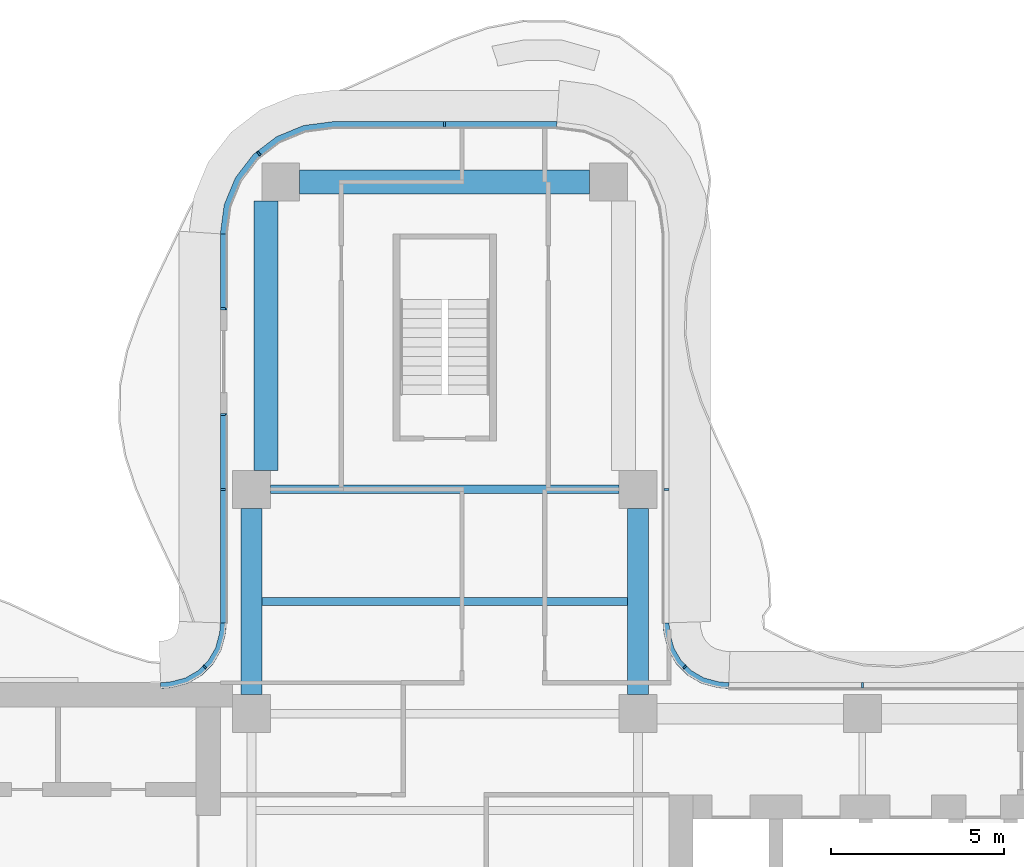
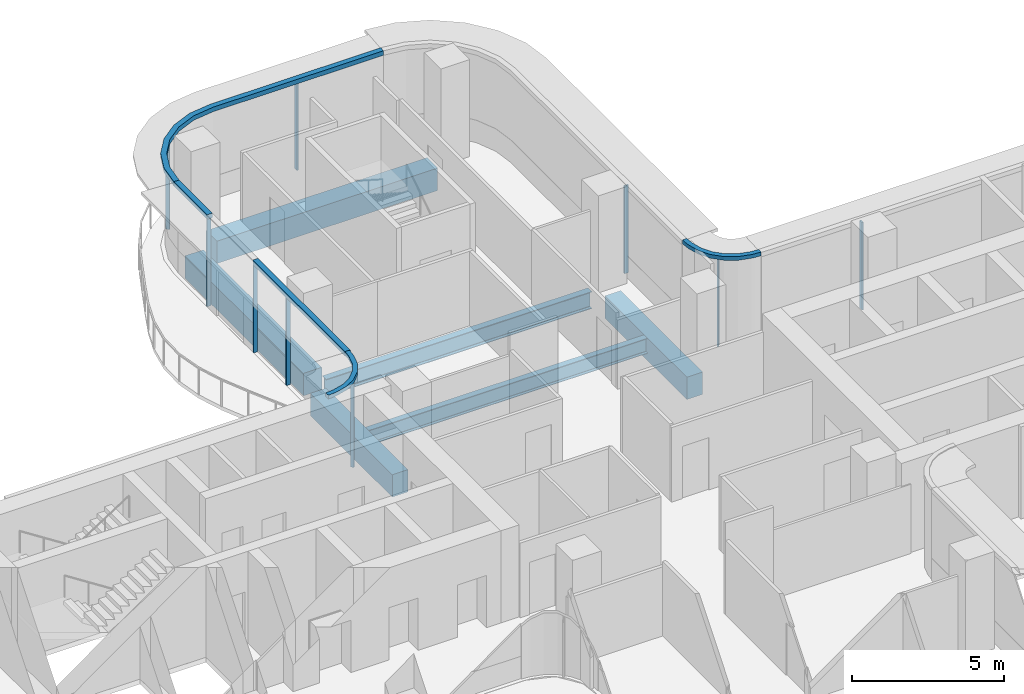
# One storey, part 7 of 17: 14 members, 6 beams, 7 elements without a shape of their own.
"""IFC4 building model written with IfcOpenShell, lengths in metres."""

from ifc_helpers import new_model, si_unit, direction, frame, origin, origin_2d, place, context, subcontext, project, spatial, polyline, rectangle, i_section, outline, extrude, source, transform, mapped, material, layer, layer_set, material_profile, profile_set, type_object, element, aggregate, save


model = new_model("IFC4")

# Units and contexts
model_context = context("Model", 3, precision=1e-05, world=origin(), true_north=direction((0.0, 1.0)))
body_context = subcontext(model_context, "Body", "Model", "MODEL_VIEW")
ifc_project = project(units=[si_unit("LENGTHUNIT", "METRE"), si_unit("AREAUNIT", "SQUARE_METRE"), si_unit("VOLUMEUNIT", "CUBIC_METRE"), si_unit("PLANEANGLEUNIT", "RADIAN"), si_unit("MASSUNIT", "GRAM", prefix="KILO")], contexts=[model_context])

# Site, building, storey
site_placement = place(None, origin())
site = spatial("IfcSite", under=ifc_project, at=site_placement, CompositionType="ELEMENT")
building_placement = place(site_placement, origin())
building = spatial("IfcBuilding", under=site, at=building_placement, Name="Trellis Farm Tower", CompositionType="ELEMENT")
storey_placement = place(building_placement, frame((0.0, 0.0, 232.39990234375)))
storey = spatial("IfcBuildingStorey", under=building, at=storey_placement, Name="L51", CompositionType="ELEMENT", Elevation=232.39990234375)

# Curtain wall, member
ifc_material_1 = material(Name="Aluminium and glass curtain wall", Category="aluminium")
ifc_layer_1 = layer(ifc_material_1, 0.18994140625)
ifc_layer_set_1 = layer_set([ifc_layer_1], Name="RIBBON CURTAIN WALL CW1")
curtain_wall_type_1 = type_object("IfcCurtainWallType", Name="RIBBON CURTAIN WALL CW1", PredefinedType="NOTDEFINED", material=ifc_layer_set_1)
placement_1 = place(storey_placement, origin())
curtain_wall_1 = element("IfcCurtainWall", 1, at=placement_1, inside=storey, type_object=curtain_wall_type_1, Name="CW1 010", PredefinedType="NOTDEFINED")
ifc_material_2 = material(Name="Aluminium extrusion 6063-T6", Category="aluminium")
ifc_layer_2 = layer(ifc_material_2, 0.199951171875)
ifc_layer_set_2 = layer_set([ifc_layer_2], Name="Aluminium extrusion 6063-T6")
member_type_1 = type_object("IfcMemberType", Name="CW1 TRANSOM 200x180", PredefinedType="USERDEFINED", material=ifc_layer_set_2)
placement_2 = place(storey_placement, frame((0.0, 0.0, 3.52001953125)))
member_1 = element("IfcMember", 2, at=placement_2, type_object=member_type_1, Name="TR1 010", ObjectType="TRANSOM", PredefinedType="USERDEFINED", context=body_context, shape_type="SweptSolid", body=[
    extrude(outline(polyline([(-6.5, 19.5), (-6.5, 17.300048828125), (-6.300048828125, 17.300048828125), (-6.300048828125, 19.48681640625), (-6.5, 19.5)])), origin(), (0.0, 0.0, 1.0), 0.18017578125),
])

curtain_wall_2 = element("IfcCurtainWall", 3, at=placement_1, inside=storey, type_object=curtain_wall_type_1, Name="CW1 011", PredefinedType="NOTDEFINED")
member_2 = element("IfcMember", 4, at=placement_2, type_object=member_type_1, Name="TR1 011", ObjectType="TRANSOM", PredefinedType="USERDEFINED", context=body_context, shape_type="SweptSolid", body=[
    extrude(outline(polyline([(-6.5, 14.300048828125), (-6.5, 8.2314453125), (-6.300048828125, 8.224853515625), (-6.300048828125, 14.300048828125), (-6.5, 14.300048828125)])), origin(), (0.0, 0.0, 1.0), 0.18017578125),
])

# Beams
ifc_material_3 = material(Name="Steel S355", Category="steel")
ifc_material_profile_1 = material_profile(ifc_material_3, i_section(OverallWidth=0.22900390625, OverallDepth=0.6123046875, WebThickness=0.011962890625, FlangeThickness=0.01953125, FilletRadius=0.0126953125, at=origin_2d()), Name="UB 610x229x125")
ifc_profile_set_1 = profile_set([ifc_material_profile_1], Name="Steel S355")
beam_type_1 = type_object("IfcBeamType", Name="UB 610x229x125 joist", PredefinedType="JOIST", material=ifc_profile_set_1)
shared_shape_1 = source(origin(), body_context, "Body", "SweptSolid", [
    extrude(i_section(OverallWidth=0.22900390625, OverallDepth=0.6123046875, WebThickness=0.011962890625, FlangeThickness=0.01953125, FilletRadius=0.0126953125, at=origin_2d()), origin(), (0.0, 0.0, 1.0), 10.60009765625),
])
beam_1_placement = place(storey_placement, frame((-5.300048828125, 8.85009765625, -0.506103515625), z_axis=(1.0, 0.0, 0.0), x_axis=(0.0, 1.0, 0.0)))
element("IfcBeam", 5, at=beam_1_placement, inside=storey, type_object=beam_type_1, Name="Floor beam", PredefinedType="JOIST", context=body_context, shape_type="MappedRepresentation", body=[
    mapped(shared_shape_1, transform((0.0, 0.0, 0.0))),
])
ifc_material_profile_2 = material_profile(ifc_material_3, i_section(OverallWidth=0.253662109375, OverallDepth=0.68359375, WebThickness=0.012451171875, FlangeThickness=0.021728515625, FilletRadius=0.01513671875, at=origin_2d()), Name="UB 686x254x140")
ifc_profile_set_2 = profile_set([ifc_material_profile_2], Name="Steel S355")
beam_type_2 = type_object("IfcBeamType", Name="UB 686x254x140", PredefinedType="BEAM", material=ifc_profile_set_2)
shared_shape_2 = source(origin(), body_context, "Body", "SweptSolid", [
    extrude(i_section(OverallWidth=0.253662109375, OverallDepth=0.68359375, WebThickness=0.012451171875, FlangeThickness=0.021728515625, FilletRadius=0.01513671875, at=origin_2d()), origin(), (0.0, 0.0, 1.0), 10.10009765625),
])
beam_2_placement = place(storey_placement, frame((-5.050048828125, 12.10009765625, -0.54150390625), z_axis=(1.0, 0.0, 0.0), x_axis=(0.0, 1.0, 0.0)))
element("IfcBeam", 6, at=beam_2_placement, inside=storey, type_object=beam_type_2, Name="Girder", PredefinedType="BEAM", context=body_context, shape_type="MappedRepresentation", body=[
    mapped(shared_shape_2, transform((0.0, 0.0, 0.0))),
])
ifc_material_4 = material(Name="Concrete C60/75", Category="concrete")
ifc_material_profile_3 = material_profile(ifc_material_4, rectangle(XDim=0.60009765625, YDim=0.89990234375, at=origin_2d()), Name="RC spandrel beam 600x900 C60/75")
ifc_profile_set_3 = profile_set([ifc_material_profile_3], Name="Concrete C60/75")
beam_type_3 = type_object("IfcBeamType", Name="RC spandrel beam 600x900 C60/75", PredefinedType="SPANDREL", material=ifc_profile_set_3)
shared_shape_3 = source(origin(), body_context, "Body", "SweptSolid", [
    extrude(rectangle(XDim=0.60009765625, YDim=0.89990234375, at=origin_2d()), origin(), (0.0, 0.0, 1.0), 5.400146484375),
])
for number, where, z_axis, x_axis, name in (
    (7, (-5.60009765625, 6.14990234375, -0.64990234375), (0.0, 1.0, 0.0), (-1.0, 0.0, 0.0), "Girder"),
    (8, (5.60009765625, 6.14990234375, -0.64990234375), (0.0, 1.0, 0.0), (-1.0, 0.0, 0.0), "Girder"),
):
    element("IfcBeam", number, at=place(storey_placement, frame(where, z_axis=z_axis, x_axis=x_axis)), inside=storey, type_object=beam_type_3, Name=name, PredefinedType="SPANDREL", context=body_context, shape_type="MappedRepresentation", body=[
        mapped(shared_shape_3, transform((0.0, 0.0, 0.0))),
    ])
ifc_material_profile_4 = material_profile(ifc_material_4, rectangle(XDim=0.699951171875, YDim=0.89990234375, at=origin_2d()), Name="RC spandrel beam 700x900 C60/75")
ifc_profile_set_4 = profile_set([ifc_material_profile_4], Name="Concrete C60/75")
beam_type_4 = type_object("IfcBeamType", Name="RC spandrel beam 700x900 C60/75", PredefinedType="SPANDREL", material=ifc_profile_set_4)
shared_shape_4 = source(origin(), body_context, "Body", "SweptSolid", [
    extrude(rectangle(XDim=0.699951171875, YDim=0.89990234375, at=origin_2d()), origin(), (0.0, 0.0, 1.0), 8.39990234375),
])
beam_3_placement = place(storey_placement, frame((-4.199951171875, 21.0, -0.64990234375), z_axis=(1.0, 0.0, 0.0), x_axis=(0.0, 1.0, 0.0)))
element("IfcBeam", 9, at=beam_3_placement, inside=storey, type_object=beam_type_4, Name="Girder", PredefinedType="SPANDREL", context=body_context, shape_type="MappedRepresentation", body=[
    mapped(shared_shape_4, transform((0.0, 0.0, 0.0))),
])
shared_shape_5 = source(origin(), body_context, "Body", "SweptSolid", [
    extrude(rectangle(XDim=0.699951171875, YDim=0.89990234375, at=origin_2d()), origin(), (0.0, 0.0, 1.0), 7.800048828125),
])
beam_4_placement = place(storey_placement, frame((-5.175048828125, 12.64990234375, -0.64990234375), z_axis=(0.0, 1.0, 0.0), x_axis=(-1.0, 0.0, 0.0)))
element("IfcBeam", 10, at=beam_4_placement, inside=storey, type_object=beam_type_4, Name="Girder", PredefinedType="SPANDREL", context=body_context, shape_type="MappedRepresentation", body=[
    mapped(shared_shape_5, transform((0.0, 0.0, 0.0))),
])

# Curtain wall, member
curtain_wall_3 = element("IfcCurtainWall", 11, at=placement_1, inside=storey, type_object=curtain_wall_type_1, Name="CW1 007", PredefinedType="NOTDEFINED")
ifc_material_profile_5 = material_profile(ifc_material_2, rectangle(XDim=0.06005859375, YDim=0.14990234375, at=origin_2d()), Name="MULLION 60x150")
ifc_profile_set_5 = profile_set([ifc_material_profile_5], Name="Aluminium extrusion 6063-T6")
member_type_2 = type_object("IfcMemberType", Name="CW1 MULLION 60x150", PredefinedType="MULLION", material=ifc_profile_set_5)
shared_shape_6 = source(origin(), body_context, "Body", "SweptSolid", [
    extrude(rectangle(XDim=0.06005859375, YDim=0.14990234375, at=origin_2d()), origin(), (0.0, 0.0, 1.0), 3.52001953125),
])
member_3_placement = place(storey_placement, frame((12.10009765625, 6.425048828125, 0.0), z_axis=(0.0, 0.0, 1.0), x_axis=(-1.0, 0.0, 0.0)))
member_3 = element("IfcMember", 12, at=member_3_placement, type_object=member_type_2, Name="MU1 007-02", PredefinedType="MULLION", context=body_context, shape_type="MappedRepresentation", body=[
    mapped(shared_shape_6, transform((0.0, 0.0, 0.0))),
])
aggregate(curtain_wall_3, [member_3])

curtain_wall_4 = element("IfcCurtainWall", 13, at=placement_1, inside=storey, type_object=curtain_wall_type_1, Name="CW1 008", PredefinedType="NOTDEFINED")
member_4_placement = place(storey_placement, frame((6.425048828125, 12.10009765625, 0.0), z_axis=(0.0, 0.0, 1.0), x_axis=(0.0, 1.0, 0.0)))
member_4 = element("IfcMember", 14, at=member_4_placement, type_object=member_type_2, Name="MU1 008-01", PredefinedType="MULLION", context=body_context, shape_type="MappedRepresentation", body=[
    mapped(shared_shape_6, transform((0.0, 0.0, 0.0))),
])
aggregate(curtain_wall_4, [member_4])

# Curtain wall, members
curtain_wall_5 = element("IfcCurtainWall", 15, at=placement_1, inside=storey, type_object=curtain_wall_type_1, Name="CW1 009", PredefinedType="NOTDEFINED")
member_5_placement = place(storey_placement, frame((0.0, 22.675048828125, 0.0), z_axis=(0.0, 0.0, 1.0), x_axis=(-1.0, 0.0, 0.0)))
member_5 = element("IfcMember", 16, at=member_5_placement, type_object=member_type_2, Name="MU1 009-01", PredefinedType="MULLION", context=body_context, shape_type="MappedRepresentation", body=[
    mapped(shared_shape_6, transform((0.0, 0.0, 0.0))),
])
member_6_placement = place(storey_placement, frame((-5.385498046875, 21.828369140625, 0.0), z_axis=(0.0, 0.0, 1.0), x_axis=(-0.793353340291, -0.608761429009, 0.0)))
member_6 = element("IfcMember", 17, at=member_6_placement, type_object=member_type_2, Name="MU1 009-02", PredefinedType="MULLION", context=body_context, shape_type="MappedRepresentation", body=[
    mapped(shared_shape_6, transform((0.0, 0.0, 0.0))),
])

# Member
member_7_placement = place(storey_placement, frame((-6.425048828125, 17.330078125, 0.0), z_axis=(0.0, 0.0, 1.0), x_axis=(0.0, -1.0, 0.0)))
member_7 = element("IfcMember", 18, at=member_7_placement, type_object=member_type_2, Name="MU1 010-01", PredefinedType="MULLION", context=body_context, shape_type="MappedRepresentation", body=[
    mapped(shared_shape_6, transform((0.0, 0.0, 0.0))),
])

aggregate(curtain_wall_1, [member_7, member_1])

member_8_placement = place(storey_placement, frame((-6.425048828125, 14.27001953125, 0.0), z_axis=(0.0, 0.0, 1.0), x_axis=(0.0, -1.0, 0.0)))
member_8 = element("IfcMember", 19, at=member_8_placement, type_object=member_type_2, Name="MU1 011-01", PredefinedType="MULLION", context=body_context, shape_type="MappedRepresentation", body=[
    mapped(shared_shape_6, transform((0.0, 0.0, 0.0))),
])

member_9_placement = place(storey_placement, frame((-6.425048828125, 12.10009765625, 0.0), z_axis=(0.0, 0.0, 1.0), x_axis=(0.0, -1.0, 0.0)))
member_9 = element("IfcMember", 20, at=member_9_placement, type_object=member_type_2, Name="MU1 011-02", PredefinedType="MULLION", context=body_context, shape_type="MappedRepresentation", body=[
    mapped(shared_shape_6, transform((0.0, 0.0, 0.0))),
])

aggregate(curtain_wall_2, [member_8, member_9, member_2])

# Curtain wall, member
ifc_layer_3 = layer(ifc_material_1, 0.166015625)
ifc_layer_set_3 = layer_set([ifc_layer_3], Name="WINTER GARDEN CURTAIN WALL CW3")
curtain_wall_type_2 = type_object("IfcCurtainWallType", Name="WINTER GARDEN CURTAIN WALL CW3", PredefinedType="NOTDEFINED", material=ifc_layer_set_3)
curtain_wall_6 = element("IfcCurtainWall", 21, at=placement_1, inside=storey, type_object=curtain_wall_type_2, Name="CW3 003", PredefinedType="NOTDEFINED")
ifc_material_profile_6 = material_profile(ifc_material_2, rectangle(XDim=0.050048828125, YDim=0.1201171875, at=origin_2d()), Name="MULLION 50x120")
ifc_profile_set_6 = profile_set([ifc_material_profile_6], Name="Aluminium extrusion 6063-T6")
member_type_3 = type_object("IfcMemberType", Name="CW3 MULLION 50x120", PredefinedType="MULLION", material=ifc_profile_set_6)
shared_shape_7 = source(origin(), body_context, "Body", "SweptSolid", [
    extrude(rectangle(XDim=0.050048828125, YDim=0.1201171875, at=origin_2d()), origin(), (0.0, 0.0, 1.0), 3.550048828125),
])
member_10_placement = place(storey_placement, frame((6.953125, 6.953125, 0.0), z_axis=(0.0, 0.0, 1.0), x_axis=(-0.707106781187, 0.707106781187, 0.0)))
member_10 = element("IfcMember", 22, at=member_10_placement, type_object=member_type_3, Name="MU3 003-01", PredefinedType="MULLION", context=body_context, shape_type="MappedRepresentation", body=[
    mapped(shared_shape_7, transform((0.0, 0.0, 0.0))),
])

curtain_wall_7 = element("IfcCurtainWall", 23, at=placement_1, inside=storey, type_object=curtain_wall_type_2, Name="CW3 004", PredefinedType="NOTDEFINED")
member_11_placement = place(storey_placement, frame((-6.953125, 6.953125, 0.0), z_axis=(0.0, 0.0, 1.0), x_axis=(-0.707106781187, -0.707106781187, 0.0)))
member_11 = element("IfcMember", 24, at=member_11_placement, type_object=member_type_3, Name="MU3 004-01", PredefinedType="MULLION", context=body_context, shape_type="MappedRepresentation", body=[
    mapped(shared_shape_7, transform((0.0, 0.0, 0.0))),
])

# Member
ifc_layer_4 = layer(ifc_material_2, 0.169921875)
ifc_layer_set_4 = layer_set([ifc_layer_4], Name="Aluminium extrusion 6063-T6")
member_type_4 = type_object("IfcMemberType", Name="CW3 TRANSOM 170x150", PredefinedType="USERDEFINED", material=ifc_layer_set_4)
shared_shape_8 = source(origin(), body_context, "Body", "SweptSolid", [
    extrude(outline(polyline([(8.2314453125, 6.5), (8.01953125, 6.513916015625), (7.91552734375, 6.527587890625), (7.508544921875, 6.63671875), (7.144287109375, 6.846923828125), (6.846923828125, 7.144287109375), (6.63671875, 7.508544921875), (6.527587890625, 7.91552734375), (6.513916015625, 8.01953125), (6.5, 8.2314453125), (6.330078125, 8.225830078125), (6.3447265625, 8.0029296875), (6.360595703125, 7.88232421875), (6.478271484375, 7.44287109375), (6.7109375, 7.0400390625), (7.0400390625, 6.7109375), (7.44287109375, 6.478271484375), (7.88232421875, 6.360595703125), (8.0029296875, 6.3447265625), (8.225830078125, 6.330078125), (8.2314453125, 6.5)])), origin(), (0.0, 0.0, 1.0), 0.150146484375),
])
placement_3 = place(storey_placement, frame((0.0, 0.0, 3.550048828125)))
member_12 = element("IfcMember", 25, at=placement_3, type_object=member_type_4, Name="TR3 003", ObjectType="TRANSOM", PredefinedType="USERDEFINED", context=body_context, shape_type="MappedRepresentation", body=[
    mapped(shared_shape_8, transform((0.0, 0.0, 0.0))),
])

aggregate(curtain_wall_6, [member_10, member_12])

shared_shape_9 = source(origin(), body_context, "Body", "SweptSolid", [
    extrude(outline(polyline([(-6.5, 8.2314453125), (-6.513916015625, 8.01953125), (-6.527587890625, 7.91552734375), (-6.63671875, 7.508544921875), (-6.846923828125, 7.144287109375), (-7.144287109375, 6.846923828125), (-7.508544921875, 6.63671875), (-7.91552734375, 6.527587890625), (-8.01953125, 6.513916015625), (-8.2314453125, 6.5), (-8.225830078125, 6.330078125), (-8.0029296875, 6.3447265625), (-7.88232421875, 6.360595703125), (-7.44287109375, 6.478271484375), (-7.0400390625, 6.7109375), (-6.7109375, 7.0400390625), (-6.478271484375, 7.44287109375), (-6.360595703125, 7.88232421875), (-6.3447265625, 8.0029296875), (-6.330078125, 8.225830078125), (-6.5, 8.2314453125)])), origin(), (0.0, 0.0, 1.0), 0.150146484375),
])
member_13 = element("IfcMember", 26, at=placement_3, type_object=member_type_4, Name="TR3 004", ObjectType="TRANSOM", PredefinedType="USERDEFINED", context=body_context, shape_type="MappedRepresentation", body=[
    mapped(shared_shape_9, transform((0.0, 0.0, 0.0))),
])

aggregate(curtain_wall_7, [member_11, member_13])

shared_shape_10 = source(origin(), body_context, "Body", "SweptSolid", [
    extrude(outline(polyline([(3.25, 22.75), (-3.25, 22.75), (-4.091064453125, 22.63916015625), (-4.875, 22.314697265625), (-5.548095703125, 21.798095703125), (-6.064697265625, 21.125), (-6.38916015625, 20.341064453125), (-6.5, 19.5), (-6.300048828125, 19.48681640625), (-6.1943359375, 20.2890625), (-5.889892578125, 21.024169921875), (-5.405517578125, 21.655517578125), (-4.774169921875, 22.139892578125), (-4.0390625, 22.4443359375), (-3.23681640625, 22.550048828125), (3.23681640625, 22.550048828125), (3.25, 22.75)])), origin(), (0.0, 0.0, 1.0), 0.18017578125),
])
member_14 = element("IfcMember", 27, at=placement_2, type_object=member_type_1, Name="TR1 009", ObjectType="TRANSOM", PredefinedType="USERDEFINED", context=body_context, shape_type="MappedRepresentation", body=[
    mapped(shared_shape_10, transform((0.0, 0.0, 0.0))),
])

aggregate(curtain_wall_5, [member_5, member_6, member_14])

save(model, "model.ifc")
